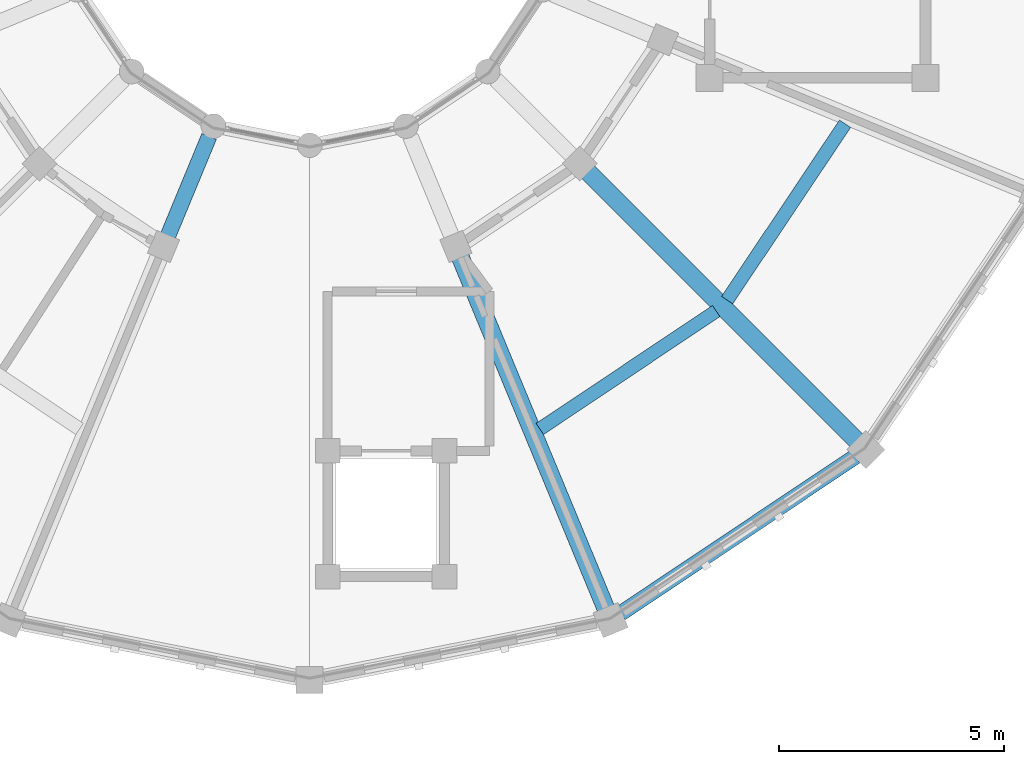
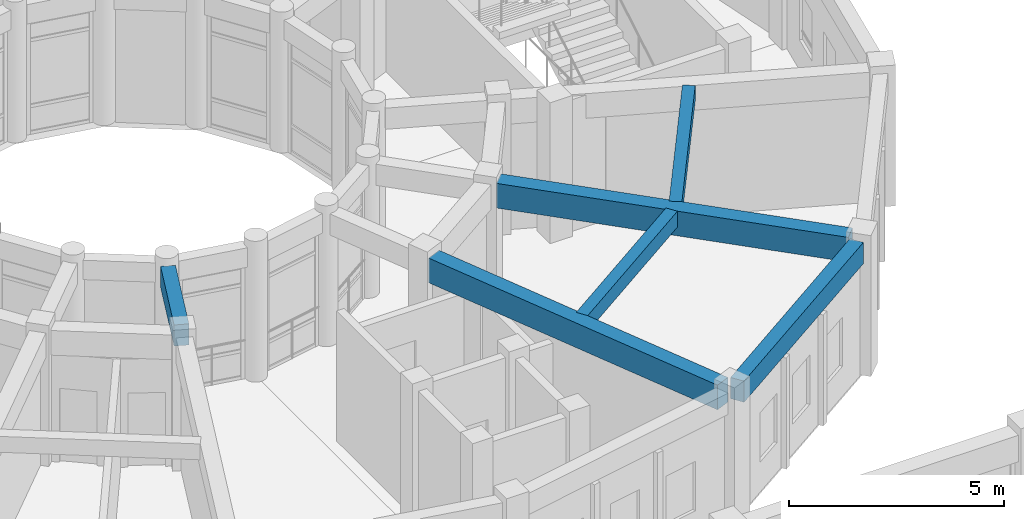
# One storey, part 27 of 112: 6 beams.
"""IFC4 building model written with IfcOpenShell, lengths in metres."""

from ifc_helpers import new_model, si_unit, direction, frame, origin, origin_2d, place, context, subcontext, project, spatial, rectangle, extrude, material, material_profile, profile_set, type_object, element, save


model = new_model("IFC4")

# Units and contexts
model_context = context("Model", 3, precision=1e-05, world=origin(), true_north=direction((0.0, 1.0)))
body_context = subcontext(model_context, "Body", "Model", "MODEL_VIEW")
ifc_project = project(units=[si_unit("LENGTHUNIT", "METRE"), si_unit("AREAUNIT", "SQUARE_METRE"), si_unit("VOLUMEUNIT", "CUBIC_METRE"), si_unit("PLANEANGLEUNIT", "RADIAN"), si_unit("MASSUNIT", "GRAM", prefix="KILO")], contexts=[model_context])

# Site, building, storey
site_placement = place(None, origin())
site = spatial("IfcSite", under=ifc_project, at=site_placement, CompositionType="ELEMENT")
building_placement = place(site_placement, origin())
building = spatial("IfcBuilding", under=site, at=building_placement, Name="Celadon Cloister-Ring School", CompositionType="ELEMENT")
storey_placement = place(building_placement, frame((0.0, 0.0, 8.5)))
storey = spatial("IfcBuildingStorey", under=building, at=storey_placement, Name="L02", CompositionType="ELEMENT", Elevation=8.5)

# Beams
ifc_material_1 = material(Name="Concrete C35/45", Category="concrete")
ifc_material_profile_1 = material_profile(ifc_material_1, rectangle(XDim=0.35009765625, YDim=0.60009765625, at=origin_2d()), Name="RC350X600")
ifc_profile_set_1 = profile_set([ifc_material_profile_1], Name="Concrete C35/45")
beam_type_1 = type_object("IfcBeamType", Name="BT-02", PredefinedType="BEAM", material=ifc_profile_set_1)
beam_1_placement = place(storey_placement, frame((17.04296875, 89.3779296875, 3.47998046875), z_axis=(0.382555476978, 0.923932522988, 0.0), x_axis=(-0.923932522988, 0.382555476978, 0.0)))
element("IfcBeam", 1, at=beam_1_placement, inside=storey, type_object=beam_type_1, Name="Beam 0751", PredefinedType="BEAM", context=body_context, shape_type="SweptSolid", body=[
    extrude(rectangle(XDim=0.35009765625, YDim=0.60009765625, at=origin_2d()), origin(), (0.0, 0.0, 1.0), 2.399658203125),
])
ifc_material_2 = material(Name="Concrete C35/45", Category="concrete")
ifc_material_profile_2 = material_profile(ifc_material_2, rectangle(XDim=0.39990234375, YDim=0.699951171875, at=origin_2d()), Name="RC400X700")
ifc_profile_set_2 = profile_set([ifc_material_profile_2], Name="Concrete C35/45")
beam_type_2 = type_object("IfcBeamType", Name="GT-03", PredefinedType="USERDEFINED", material=ifc_profile_set_2)
beam_2_placement = place(storey_placement, frame((26.7919921875, 81.0859375, 3.429931640625), z_axis=(-0.382642680076, 0.923896411609, 0.0), x_axis=(-0.923896411609, -0.382642680076, 0.0)))
element("IfcBeam", 2, at=beam_2_placement, inside=storey, type_object=beam_type_2, Name="Beam 0752", ObjectType="GIRDER", PredefinedType="USERDEFINED", context=body_context, shape_type="SweptSolid", body=[
    extrude(rectangle(XDim=0.39990234375, YDim=0.699951171875, at=origin_2d()), origin(), (0.0, 0.0, 1.0), 8.47509765625),
])
beam_3_placement = place(storey_placement, frame((32.3798828125, 84.820068359375, 3.429931640625), z_axis=(-0.707106781187, 0.707106781187, 0.0), x_axis=(-0.707106781187, -0.707106781187, 0.0)))
element("IfcBeam", 3, at=beam_3_placement, inside=storey, type_object=beam_type_2, Name="Beam 0754", ObjectType="GIRDER", PredefinedType="USERDEFINED", context=body_context, shape_type="SweptSolid", body=[
    extrude(rectangle(XDim=0.39990234375, YDim=0.699951171875, at=origin_2d()), origin(), (0.0, 0.0, 1.0), 8.475341796875),
])
ifc_material_3 = material(Name="Concrete C35/45", Category="concrete")
ifc_material_profile_3 = material_profile(ifc_material_3, rectangle(XDim=0.300048828125, YDim=0.449951171875, at=origin_2d()), Name="RC300X450")
ifc_profile_set_3 = profile_set([ifc_material_profile_3], Name="Concrete C35/45")
beam_type_3 = type_object("IfcBeamType", Name="JT-01", PredefinedType="JOIST", material=ifc_profile_set_3)
beam_4_placement = place(storey_placement, frame((25.321044921875, 85.0869140625, 3.554931640625), z_axis=(0.831333623542, 0.55577370068, 0.0), x_axis=(-0.55577370068, 0.831333623542, 0.0)))
element("IfcBeam", 4, at=beam_4_placement, inside=storey, type_object=beam_type_3, Name="Beam 0801", PredefinedType="JOIST", context=body_context, shape_type="SweptSolid", body=[
    extrude(rectangle(XDim=0.300048828125, YDim=0.449951171875, at=origin_2d()), origin(), (0.0, 0.0, 1.0), 4.721435546875),
])
beam_5_placement = place(storey_placement, frame((29.489013671875, 87.9541015625, 3.554931640625), z_axis=(0.555797592992, 0.831317650254, 0.0), x_axis=(-0.831317650254, 0.555797592992, 0.0)))
element("IfcBeam", 5, at=beam_5_placement, inside=storey, type_object=beam_type_3, Name="Beam 0805", PredefinedType="JOIST", context=body_context, shape_type="SweptSolid", body=[
    extrude(rectangle(XDim=0.300048828125, YDim=0.449951171875, at=origin_2d()), origin(), (0.0, 0.0, 1.0), 4.72119140625),
])
ifc_material_4 = material(Name="Concrete C35/45", Category="concrete")
ifc_material_profile_4 = material_profile(ifc_material_4, rectangle(XDim=0.35009765625, YDim=0.60009765625, at=origin_2d()), Name="RC350X600")
ifc_profile_set_4 = profile_set([ifc_material_profile_4], Name="Concrete C35/45")
beam_type_4 = type_object("IfcBeamType", Name="SP-01", PredefinedType="SPANDREL", material=ifc_profile_set_4)
beam_6_placement = place(storey_placement, frame((27.1259765625, 80.985107421875, 3.47998046875), z_axis=(0.831427473898, 0.555633292422, 0.0), x_axis=(-0.555633292422, 0.831427473898, 0.0)))
element("IfcBeam", 6, at=beam_6_placement, inside=storey, type_object=beam_type_4, Name="Beam 0798", PredefinedType="SPANDREL", context=body_context, shape_type="SweptSolid", body=[
    extrude(rectangle(XDim=0.35009765625, YDim=0.60009765625, at=origin_2d()), origin(), (0.0, 0.0, 1.0), 6.277099609375),
])

save(model, "model.ifc")
